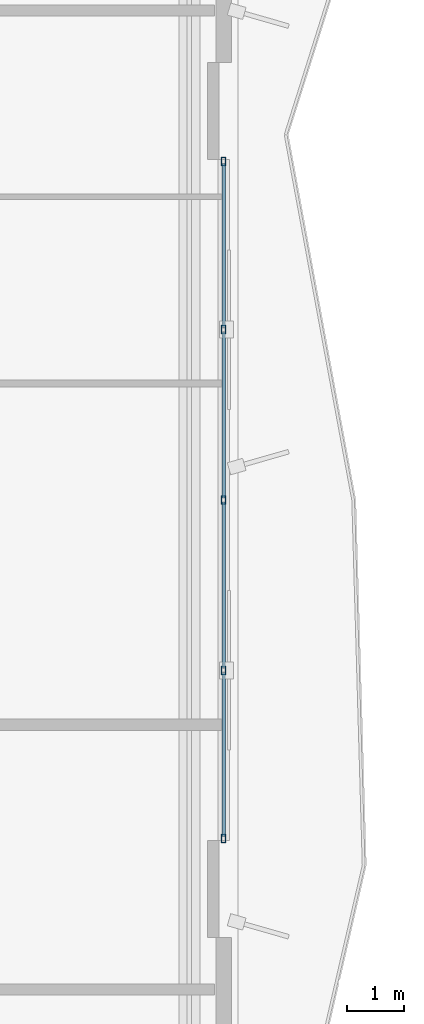
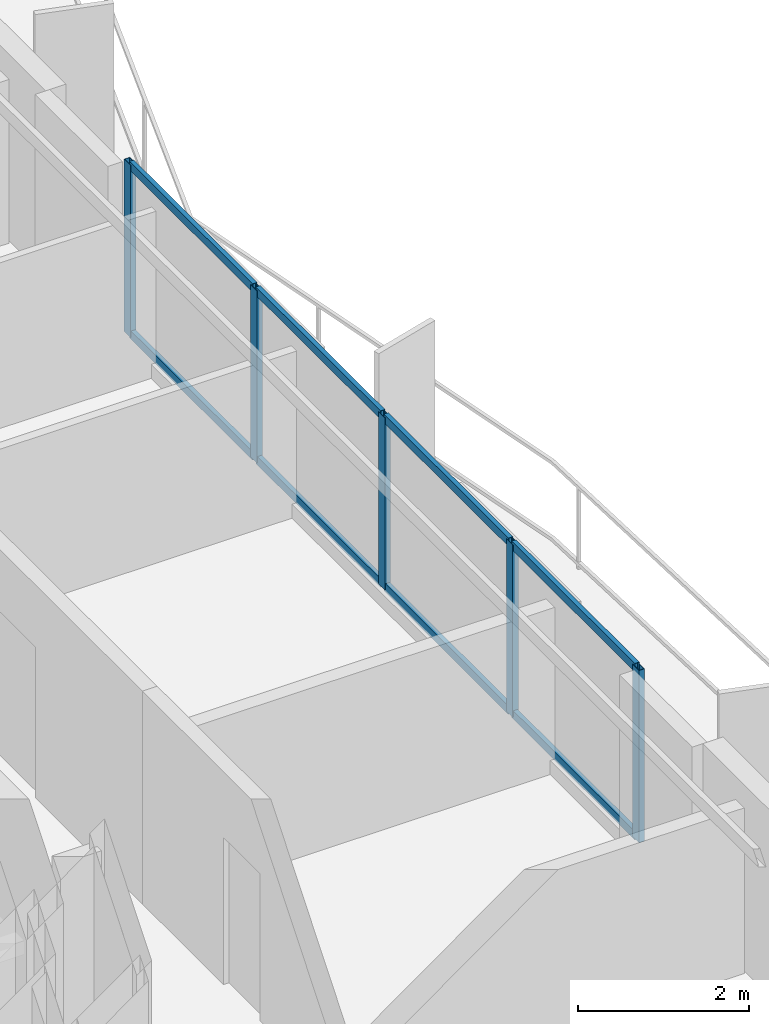
# One storey, part 6 of 19: 13 members, 1 element without a shape of its own.
"""IFC4 building model written with IfcOpenShell, lengths in metres."""

from ifc_helpers import new_model, si_unit, direction, frame, origin, origin_2d, place, context, subcontext, project, spatial, hollow_rectangle, extrude, material, layer, layer_set, material_profile, profile_set, type_object, element, aggregate, save


model = new_model("IFC4")

# Units and contexts
model_context = context("Model", 3, precision=1e-05, world=origin(), true_north=direction((0.0, 1.0)))
body_context = subcontext(model_context, "Body", "Model", "MODEL_VIEW")
ifc_project = project(units=[si_unit("LENGTHUNIT", "METRE"), si_unit("AREAUNIT", "SQUARE_METRE"), si_unit("VOLUMEUNIT", "CUBIC_METRE"), si_unit("PLANEANGLEUNIT", "RADIAN"), si_unit("MASSUNIT", "GRAM", prefix="KILO")], contexts=[model_context])

# Site, building, storey
site_placement = place(None, origin())
site = spatial("IfcSite", under=ifc_project, at=site_placement, CompositionType="ELEMENT")
building_placement = place(site_placement, origin())
building = spatial("IfcBuilding", under=site, at=building_placement, Name="Mersakhor Tower and Convention Hall", CompositionType="ELEMENT")
storey_placement = place(building_placement, frame((0.0, 0.0, 45.60009765625)))
storey = spatial("IfcBuildingStorey", under=building, at=storey_placement, Name="L12", CompositionType="ELEMENT", Elevation=45.60009765625)

# Curtain wall, members
ifc_material_1 = material(Name="Dark solar low-E aluminium curtain wall", Category="aluminium")
ifc_layer = layer(ifc_material_1, 0.159912109375)
ifc_layer_set = layer_set([ifc_layer], Name="Dark solar low-E aluminium curtain wall")
curtain_wall_type = type_object("IfcCurtainWallType", Name="CW-SYS-01", PredefinedType="USERDEFINED", material=ifc_layer_set)
curtain_wall_placement = place(storey_placement, origin())
curtain_wall = element("IfcCurtainWall", 1, at=curtain_wall_placement, inside=storey, type_object=curtain_wall_type, Name="L12 Dark-Glass Curtain Wall F2-B2", ObjectType="CURTAIN WALL", PredefinedType="USERDEFINED")
ifc_material_2 = material(Name="Anodised aluminium EN AW-6063 T6", Category="aluminium")
ifc_material_profile_1 = material_profile(ifc_material_2, hollow_rectangle(XDim=0.074951171875, YDim=0.14990234375, WallThickness=0.00634765625, at=origin_2d()), Name="RHS 150x75x6.3")
ifc_profile_set_1 = profile_set([ifc_material_profile_1], Name="Anodised aluminium EN AW-6063 T6")
member_type_1 = type_object("IfcMemberType", Name="CWM-150x75", PredefinedType="MULLION", material=ifc_profile_set_1)
member_1_placement = place(storey_placement, frame((43.85009765625, 32.69921875, 0.199951171875), z_axis=(0.0, 0.0, 1.0), x_axis=(1.0, 0.0, 0.0)))
member_1 = element("IfcMember", 2, at=member_1_placement, type_object=member_type_1, Name="CW-01 mullion 1", PredefinedType="MULLION", context=body_context, shape_type="SweptSolid", body=[
    extrude(hollow_rectangle(XDim=0.074951171875, YDim=0.14990234375, WallThickness=0.00634765625, at=origin_2d()), origin(), (0.0, 0.0, 1.0), 2.4599609375),
])
member_2_placement = place(storey_placement, frame((43.85009765625, 29.743408203125, 0.199951171875), z_axis=(0.0, 0.0, 1.0), x_axis=(1.0, 0.0, 0.0)))
member_2 = element("IfcMember", 3, at=member_2_placement, type_object=member_type_1, Name="CW-01 mullion 2", PredefinedType="MULLION", context=body_context, shape_type="SweptSolid", body=[
    extrude(hollow_rectangle(XDim=0.074951171875, YDim=0.14990234375, WallThickness=0.00634765625, at=origin_2d()), origin(), (0.0, 0.0, 1.0), 2.4599609375),
])
member_3_placement = place(storey_placement, frame((43.85009765625, 26.75, 0.199951171875), z_axis=(0.0, 0.0, 1.0), x_axis=(1.0, 0.0, 0.0)))
member_3 = element("IfcMember", 4, at=member_3_placement, type_object=member_type_1, Name="CW-01 mullion 3", PredefinedType="MULLION", context=body_context, shape_type="SweptSolid", body=[
    extrude(hollow_rectangle(XDim=0.074951171875, YDim=0.14990234375, WallThickness=0.00634765625, at=origin_2d()), origin(), (0.0, 0.0, 1.0), 2.4599609375),
])
member_4_placement = place(storey_placement, frame((43.85009765625, 23.756591796875, 0.199951171875), z_axis=(0.0, 0.0, 1.0), x_axis=(1.0, 0.0, 0.0)))
member_4 = element("IfcMember", 5, at=member_4_placement, type_object=member_type_1, Name="CW-01 mullion 4", PredefinedType="MULLION", context=body_context, shape_type="SweptSolid", body=[
    extrude(hollow_rectangle(XDim=0.074951171875, YDim=0.14990234375, WallThickness=0.00634765625, at=origin_2d()), origin(), (0.0, 0.0, 1.0), 2.4599609375),
])
member_5_placement = place(storey_placement, frame((43.85009765625, 20.80078125, 0.199951171875), z_axis=(0.0, 0.0, 1.0), x_axis=(1.0, 0.0, 0.0)))
member_5 = element("IfcMember", 6, at=member_5_placement, type_object=member_type_1, Name="CW-01 mullion 5", PredefinedType="MULLION", context=body_context, shape_type="SweptSolid", body=[
    extrude(hollow_rectangle(XDim=0.074951171875, YDim=0.14990234375, WallThickness=0.00634765625, at=origin_2d()), origin(), (0.0, 0.0, 1.0), 2.4599609375),
])
ifc_material_3 = material(Name="Anodised aluminium EN AW-6063 T6", Category="aluminium")
ifc_material_profile_2 = material_profile(ifc_material_3, hollow_rectangle(XDim=0.06005859375, YDim=0.1201171875, WallThickness=0.0048828125, at=origin_2d()), Name="RHS 120x60x5")
ifc_profile_set_2 = profile_set([ifc_material_profile_2], Name="Anodised aluminium EN AW-6063 T6")
member_type_2 = type_object("IfcMemberType", Name="CWT-120x60", PredefinedType="USERDEFINED", material=ifc_profile_set_2)
member_6_placement = place(storey_placement, frame((43.85009765625, 32.66162109375, 0.22998046875), z_axis=(0.0, -1.0, 0.0), x_axis=(1.0, 0.0, 0.0)))
member_6 = element("IfcMember", 7, at=member_6_placement, type_object=member_type_2, Name="CW-01 transom 1.1", ObjectType="TRANSOM", PredefinedType="USERDEFINED", context=body_context, shape_type="SweptSolid", body=[
    extrude(hollow_rectangle(XDim=0.06005859375, YDim=0.1201171875, WallThickness=0.0048828125, at=origin_2d()), origin(), (0.0, 0.0, 1.0), 2.880859375),
])
member_7_placement = place(storey_placement, frame((43.85009765625, 32.66162109375, 2.6298828125), z_axis=(0.0, -1.0, 0.0), x_axis=(1.0, 0.0, 0.0)))
member_7 = element("IfcMember", 8, at=member_7_placement, type_object=member_type_2, Name="CW-01 transom 1.2", ObjectType="TRANSOM", PredefinedType="USERDEFINED", context=body_context, shape_type="SweptSolid", body=[
    extrude(hollow_rectangle(XDim=0.06005859375, YDim=0.1201171875, WallThickness=0.0048828125, at=origin_2d()), origin(), (0.0, 0.0, 1.0), 2.880859375),
])
member_8_placement = place(storey_placement, frame((43.85009765625, 29.705810546875, 0.22998046875), z_axis=(0.0, -1.0, 0.0), x_axis=(1.0, 0.0, 0.0)))
member_8 = element("IfcMember", 9, at=member_8_placement, type_object=member_type_2, Name="CW-01 transom 2.1", ObjectType="TRANSOM", PredefinedType="USERDEFINED", context=body_context, shape_type="SweptSolid", body=[
    extrude(hollow_rectangle(XDim=0.06005859375, YDim=0.1201171875, WallThickness=0.0048828125, at=origin_2d()), origin(), (0.0, 0.0, 1.0), 2.918212890625),
])
member_9_placement = place(storey_placement, frame((43.85009765625, 29.705810546875, 2.6298828125), z_axis=(0.0, -1.0, 0.0), x_axis=(1.0, 0.0, 0.0)))
member_9 = element("IfcMember", 10, at=member_9_placement, type_object=member_type_2, Name="CW-01 transom 2.2", ObjectType="TRANSOM", PredefinedType="USERDEFINED", context=body_context, shape_type="SweptSolid", body=[
    extrude(hollow_rectangle(XDim=0.06005859375, YDim=0.1201171875, WallThickness=0.0048828125, at=origin_2d()), origin(), (0.0, 0.0, 1.0), 2.918212890625),
])
member_10_placement = place(storey_placement, frame((43.85009765625, 26.71240234375, 0.22998046875), z_axis=(0.0, -1.0, 0.0), x_axis=(1.0, 0.0, 0.0)))
member_10 = element("IfcMember", 11, at=member_10_placement, type_object=member_type_2, Name="CW-01 transom 3.1", ObjectType="TRANSOM", PredefinedType="USERDEFINED", context=body_context, shape_type="SweptSolid", body=[
    extrude(hollow_rectangle(XDim=0.06005859375, YDim=0.1201171875, WallThickness=0.0048828125, at=origin_2d()), origin(), (0.0, 0.0, 1.0), 2.918212890625),
])
member_11_placement = place(storey_placement, frame((43.85009765625, 26.71240234375, 2.6298828125), z_axis=(0.0, -1.0, 0.0), x_axis=(1.0, 0.0, 0.0)))
member_11 = element("IfcMember", 12, at=member_11_placement, type_object=member_type_2, Name="CW-01 transom 3.2", ObjectType="TRANSOM", PredefinedType="USERDEFINED", context=body_context, shape_type="SweptSolid", body=[
    extrude(hollow_rectangle(XDim=0.06005859375, YDim=0.1201171875, WallThickness=0.0048828125, at=origin_2d()), origin(), (0.0, 0.0, 1.0), 2.918212890625),
])
member_12_placement = place(storey_placement, frame((43.85009765625, 23.71923828125, 0.22998046875), z_axis=(0.0, -1.0, 0.0), x_axis=(1.0, 0.0, 0.0)))
member_12 = element("IfcMember", 13, at=member_12_placement, type_object=member_type_2, Name="CW-01 transom 4.1", ObjectType="TRANSOM", PredefinedType="USERDEFINED", context=body_context, shape_type="SweptSolid", body=[
    extrude(hollow_rectangle(XDim=0.06005859375, YDim=0.1201171875, WallThickness=0.0048828125, at=origin_2d()), origin(), (0.0, 0.0, 1.0), 2.880859375),
])
member_13_placement = place(storey_placement, frame((43.85009765625, 23.71923828125, 2.6298828125), z_axis=(0.0, -1.0, 0.0), x_axis=(1.0, 0.0, 0.0)))
member_13 = element("IfcMember", 14, at=member_13_placement, type_object=member_type_2, Name="CW-01 transom 4.2", ObjectType="TRANSOM", PredefinedType="USERDEFINED", context=body_context, shape_type="SweptSolid", body=[
    extrude(hollow_rectangle(XDim=0.06005859375, YDim=0.1201171875, WallThickness=0.0048828125, at=origin_2d()), origin(), (0.0, 0.0, 1.0), 2.880859375),
])
aggregate(curtain_wall, [member_1, member_2, member_3, member_4, member_5, member_6, member_7, member_8, member_9, member_10, member_11, member_12, member_13])

save(model, "model.ifc")
